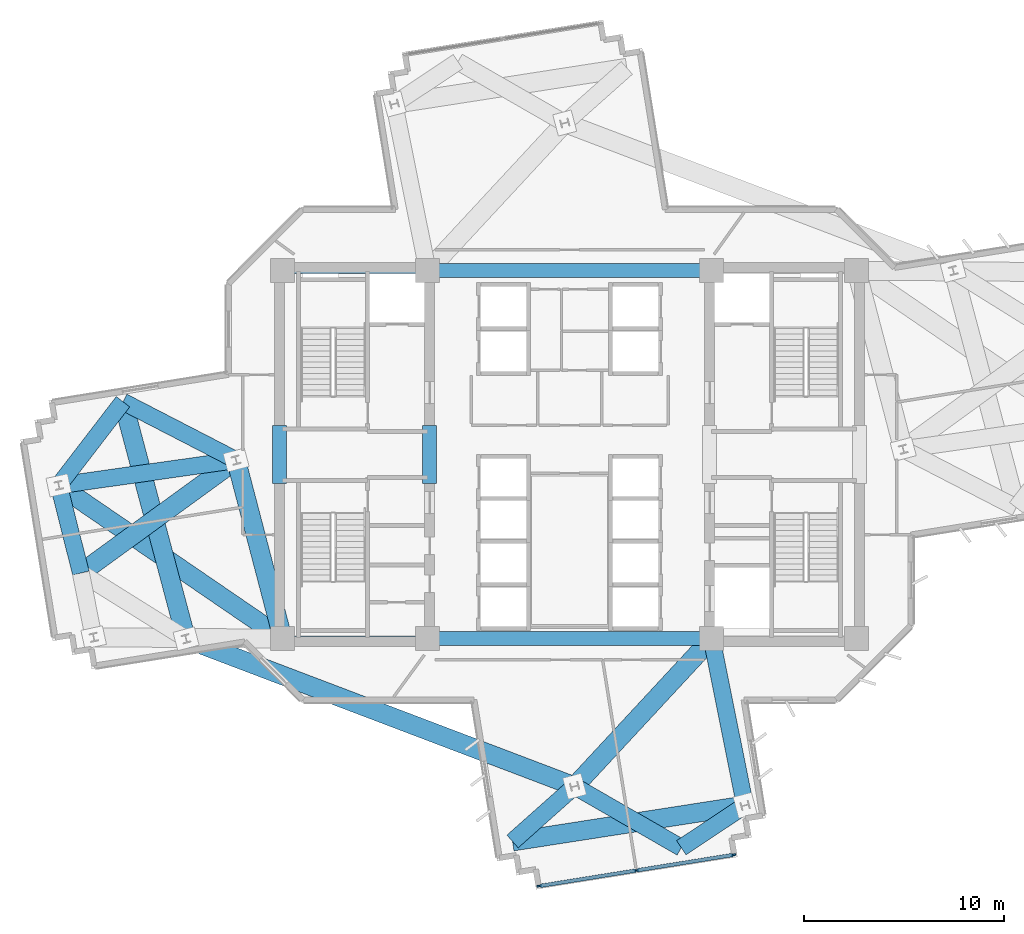
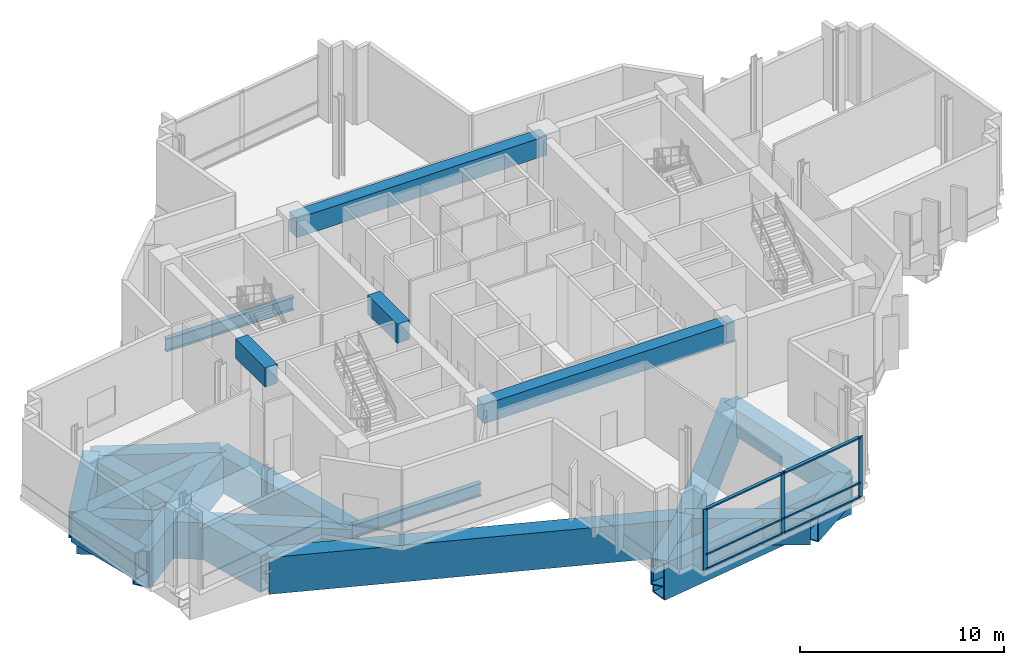
# One storey, part 2 of 12: 21 beams, 9 members, 1 element without a shape of its own.
"""IFC4 building model written with IfcOpenShell, lengths in metres."""

from ifc_helpers import new_model, si_unit, direction, frame, origin, origin_2d, place, context, subcontext, project, spatial, rectangle, hollow_rectangle, i_section, extrude, source, transform, mapped, material, layer, layer_set, material_profile, profile_set, type_object, element, aggregate, save


model = new_model("IFC4")

# Units and contexts
model_context = context("Model", 3, precision=1e-05, world=origin(), true_north=direction((0.0, 1.0)))
body_context = subcontext(model_context, "Body", "Model", "MODEL_VIEW")
ifc_project = project(units=[si_unit("LENGTHUNIT", "METRE"), si_unit("AREAUNIT", "SQUARE_METRE"), si_unit("VOLUMEUNIT", "CUBIC_METRE"), si_unit("PLANEANGLEUNIT", "RADIAN"), si_unit("MASSUNIT", "GRAM", prefix="KILO")], contexts=[model_context])

# Site, building, storey
site_placement = place(None, origin())
site = spatial("IfcSite", under=ifc_project, at=site_placement, CompositionType="ELEMENT")
building_placement = place(site_placement, origin())
building = spatial("IfcBuilding", under=site, at=building_placement, Name="Zahravan Cultural Tower", CompositionType="ELEMENT")
storey_placement = place(building_placement, frame((0.0, 0.0, 130.800048828125)))
storey = spatial("IfcBuildingStorey", under=building, at=storey_placement, Name="L29", CompositionType="ELEMENT", Elevation=130.800048828125)

# Beams
ifc_material_1 = material(Name="Concrete C50/60", Category="concrete")
ifc_material_profile_1 = material_profile(ifc_material_1, rectangle(XDim=0.699951171875, YDim=1.14990234375, at=origin_2d()), Name="RC700X1150")
ifc_profile_set_1 = profile_set([ifc_material_profile_1], Name="Concrete C50/60")
beam_type_1 = type_object("IfcBeamType", Name="BM-LN-RC700X1150", PredefinedType="LINTEL", material=ifc_profile_set_1)
shared_shape_1 = source(origin(), body_context, "Body", "SweptSolid", [
    extrude(rectangle(XDim=0.699951171875, YDim=1.14990234375, at=origin_2d()), origin(), (0.0, 0.0, 1.0), 14.2001953125),
])
for number, where, z_axis, x_axis, name in (
    (1, (28.89990234375, 17.800048828125, 3.945068359375), (1.0, 0.0, 0.0), (0.0, 1.0, 0.0), "L29 Beam LN-L29-S"),
    (2, (28.89990234375, 36.199951171875, 3.945068359375), (1.0, 0.0, 0.0), (0.0, 1.0, 0.0), "L29 Beam LN-L29-N"),
):
    element("IfcBeam", number, at=place(storey_placement, frame(where, z_axis=z_axis, x_axis=x_axis)), inside=storey, type_object=beam_type_1, Name=name, PredefinedType="LINTEL", context=body_context, shape_type="MappedRepresentation", body=[
        mapped(shared_shape_1, transform((0.0, 0.0, 0.0), x_axis=(1.0, 0.0, 0.0), y_axis=(0.0, 1.0, 0.0), z_axis=(0.0, 0.0, 1.0), scale=1.0)),
    ])
shared_shape_2 = source(origin(), body_context, "Body", "SweptSolid", [
    extrude(rectangle(XDim=0.699951171875, YDim=1.14990234375, at=origin_2d()), origin(), (0.0, 0.0, 1.0), 2.89990234375),
])
for number, where, z_axis, x_axis, name in (
    (3, (21.5, 25.550048828125, 3.945068359375), (0.0, 1.0, 0.0), (-1.0, 0.0, 0.0), "L29 Beam LN-L29-PWW"),
    (4, (29.0, 25.550048828125, 3.945068359375), (0.0, 1.0, 0.0), (-1.0, 0.0, 0.0), "L29 Beam LN-L29-PWE"),
):
    element("IfcBeam", number, at=place(storey_placement, frame(where, z_axis=z_axis, x_axis=x_axis)), inside=storey, type_object=beam_type_1, Name=name, PredefinedType="LINTEL", context=body_context, shape_type="MappedRepresentation", body=[
        mapped(shared_shape_2, transform((0.0, 0.0, 0.0), x_axis=(1.0, 0.0, 0.0), y_axis=(0.0, 1.0, 0.0), z_axis=(0.0, 0.0, 1.0), scale=1.0)),
    ])
ifc_material_2 = material(Name="Steel ASTM A992 Grade 50", Category="steel")
ifc_material_profile_2 = material_profile(ifc_material_2, i_section(OverallWidth=0.26611328125, OverallDepth=0.780029296875, WebThickness=0.0166015625, FlangeThickness=0.030029296875, FilletRadius=0.01904296875, at=origin_2d()), Name="W30X148")
ifc_profile_set_2 = profile_set([ifc_material_profile_2], Name="Steel ASTM A992 Grade 50")
beam_type_2 = type_object("IfcBeamType", Name="BM-G-W30X148", PredefinedType="BEAM", material=ifc_profile_set_2)
shared_shape_3 = source(origin(), body_context, "Body", "SweptSolid", [
    extrude(i_section(OverallWidth=0.26611328125, OverallDepth=0.780029296875, WebThickness=0.0166015625, FlangeThickness=0.030029296875, FilletRadius=0.01904296875, at=origin_2d()), origin(), (0.0, 0.0, 1.0), 7.25),
])
for number, where, z_axis, x_axis, name in (
    (5, (21.64990234375, 17.800048828125, -0.68994140625), (1.0, 0.0, 0.0), (0.0, 1.0, 0.0), "L29 Beam BG-L29-01"),
    (6, (21.64990234375, 36.199951171875, -0.68994140625), (1.0, 0.0, 0.0), (0.0, 1.0, 0.0), "L29 Beam BG-L29-02"),
):
    element("IfcBeam", number, at=place(storey_placement, frame(where, z_axis=z_axis, x_axis=x_axis)), inside=storey, type_object=beam_type_2, Name=name, PredefinedType="BEAM", context=body_context, shape_type="MappedRepresentation", body=[
        mapped(shared_shape_3, transform((0.0, 0.0, 0.0), x_axis=(1.0, 0.0, 0.0), y_axis=(0.0, 1.0, 0.0), z_axis=(0.0, 0.0, 1.0), scale=1.0)),
    ])
ifc_material_3 = material(Name="Steel ASTM A572 Grade 50", Category="steel")
ifc_material_profile_3 = material_profile(ifc_material_3, hollow_rectangle(XDim=0.949951171875, YDim=2.199951171875, WallThickness=0.070068359375, at=origin_2d()), Name="BOX2200X950X70")
ifc_profile_set_3 = profile_set([ifc_material_profile_3], Name="Steel ASTM A572 Grade 50")
beam_type_3 = type_object("IfcBeamType", Name="BM-TR-BOX2200", PredefinedType="BEAM", material=ifc_profile_set_3)
shared_shape_4 = source(origin(), body_context, "Body", "SweptSolid", [
    extrude(hollow_rectangle(XDim=0.949951171875, YDim=2.199951171875, WallThickness=0.070068359375, at=origin_2d()), origin(), (0.0, 0.0, 1.0), 9.22900390625),
])
beam_1_placement = place(storey_placement, frame((21.64990234375, 17.800048828125, -1.400146484375), z_axis=(-0.252922608408, 0.967486513682, 0.0), x_axis=(-0.967486513682, -0.252922608408, 0.0)))
element("IfcBeam", 7, at=beam_1_placement, inside=storey, type_object=beam_type_3, Name="L29 Beam TB-L29-07", PredefinedType="BEAM", context=body_context, shape_type="MappedRepresentation", body=[
    mapped(shared_shape_4, transform((0.0, 0.0, 0.0), x_axis=(1.0, 0.0, 0.0), y_axis=(0.0, 1.0, 0.0), z_axis=(0.0, 0.0, 1.0), scale=1.0)),
])
ifc_material_profile_4 = material_profile(ifc_material_3, hollow_rectangle(XDim=0.85009765625, YDim=1.60009765625, WallThickness=0.06005859375, at=origin_2d()), Name="BOX1600X850X60")
ifc_profile_set_4 = profile_set([ifc_material_profile_4], Name="Steel ASTM A572 Grade 50")
beam_type_4 = type_object("IfcBeamType", Name="BM-TR-BOX1600", PredefinedType="BEAM", material=ifc_profile_set_4)
shared_shape_5 = source(origin(), body_context, "Body", "SweptSolid", [
    extrude(hollow_rectangle(XDim=0.85009765625, YDim=1.60009765625, WallThickness=0.06005859375, at=origin_2d()), origin(), (0.0, 0.0, 1.0), 6.36376953125),
])
beam_2_placement = place(storey_placement, frame((19.315673828125, 26.72900390625, -1.10009765625), z_axis=(-0.888582826107, 0.458716209816, 0.0), x_axis=(-0.458716209816, -0.888582826107, 0.0)))
element("IfcBeam", 8, at=beam_2_placement, inside=storey, type_object=beam_type_4, Name="L29 Beam TB-L29-08", PredefinedType="BEAM", context=body_context, shape_type="MappedRepresentation", body=[
    mapped(shared_shape_5, transform((0.0, 0.0, 0.0), x_axis=(1.0, 0.0, 0.0), y_axis=(0.0, 1.0, 0.0), z_axis=(0.0, 0.0, 1.0), scale=1.0)),
])
shared_shape_6 = source(origin(), body_context, "Body", "SweptSolid", [
    extrude(hollow_rectangle(XDim=0.949951171875, YDim=2.199951171875, WallThickness=0.070068359375, at=origin_2d()), origin(), (0.0, 0.0, 1.0), 9.599853515625),
])
beam_3_placement = place(storey_placement, frame((19.315673828125, 26.72900390625, -1.400146484375), z_axis=(-0.808565591298, -0.588406054157, 0.0), x_axis=(0.588406054157, -0.808565591298, 0.0)))
element("IfcBeam", 9, at=beam_3_placement, inside=storey, type_object=beam_type_3, Name="L29 Beam TB-L29-09", PredefinedType="BEAM", context=body_context, shape_type="MappedRepresentation", body=[
    mapped(shared_shape_6, transform((0.0, 0.0, 0.0), x_axis=(1.0, 0.0, 0.0), y_axis=(0.0, 1.0, 0.0), z_axis=(0.0, 0.0, 1.0), scale=1.0)),
])
shared_shape_7 = source(origin(), body_context, "Body", "SweptSolid", [
    extrude(hollow_rectangle(XDim=0.949951171875, YDim=2.199951171875, WallThickness=0.070068359375, at=origin_2d()), origin(), (0.0, 0.0, 1.0), 13.573974609375),
])
beam_4_placement = place(storey_placement, frame((21.64990234375, 17.800048828125, -1.400146484375), z_axis=(-0.825296232067, 0.56470003483, 0.0), x_axis=(-0.56470003483, -0.825296232067, 0.0)))
element("IfcBeam", 10, at=beam_4_placement, inside=storey, type_object=beam_type_3, Name="L29 Beam TB-L29-10", PredefinedType="BEAM", context=body_context, shape_type="MappedRepresentation", body=[
    mapped(shared_shape_7, transform((0.0, 0.0, 0.0), x_axis=(1.0, 0.0, 0.0), y_axis=(0.0, 1.0, 0.0), z_axis=(0.0, 0.0, 1.0), scale=1.0)),
])
shared_shape_8 = source(origin(), body_context, "Body", "SweptSolid", [
    extrude(hollow_rectangle(XDim=0.85009765625, YDim=1.60009765625, WallThickness=0.06005859375, at=origin_2d()), origin(), (0.0, 0.0, 1.0), 4.5224609375),
])
beam_5_placement = place(storey_placement, frame((10.447265625, 25.46533203125, -1.10009765625), z_axis=(0.244605552125, -0.969622670872, 0.0), x_axis=(0.969622670872, 0.244605552125, 0.0)))
element("IfcBeam", 11, at=beam_5_placement, inside=storey, type_object=beam_type_4, Name="L29 Beam TB-L29-11", PredefinedType="BEAM", context=body_context, shape_type="MappedRepresentation", body=[
    mapped(shared_shape_8, transform((0.0, 0.0, 0.0), x_axis=(1.0, 0.0, 0.0), y_axis=(0.0, 1.0, 0.0), z_axis=(0.0, 0.0, 1.0), scale=1.0)),
])
shared_shape_9 = source(origin(), body_context, "Body", "SweptSolid", [
    extrude(hollow_rectangle(XDim=0.85009765625, YDim=1.60009765625, WallThickness=0.06005859375, at=origin_2d()), origin(), (0.0, 0.0, 1.0), 5.27490234375),
])
beam_6_placement = place(storey_placement, frame((10.447265625, 25.46533203125, -1.10009765625), z_axis=(0.609238691752, 0.792986895524, 0.0), x_axis=(-0.792986895524, 0.609238691752, 0.0)))
element("IfcBeam", 12, at=beam_6_placement, inside=storey, type_object=beam_type_4, Name="L29 Beam TB-L29-12", PredefinedType="BEAM", context=body_context, shape_type="MappedRepresentation", body=[
    mapped(shared_shape_9, transform((0.0, 0.0, 0.0), x_axis=(1.0, 0.0, 0.0), y_axis=(0.0, 1.0, 0.0), z_axis=(0.0, 0.0, 1.0), scale=1.0)),
])
shared_shape_10 = source(origin(), body_context, "Body", "SweptSolid", [
    extrude(hollow_rectangle(XDim=0.949951171875, YDim=2.199951171875, WallThickness=0.070068359375, at=origin_2d()), origin(), (0.0, 0.0, 1.0), 12.266845703125),
])
beam_7_placement = place(storey_placement, frame((16.815185546875, 17.7939453125, -1.400146484375), z_axis=(-0.257142336266, 0.966373540045, 0.0), x_axis=(-0.966373540045, -0.257142336266, 0.0)))
element("IfcBeam", 13, at=beam_7_placement, inside=storey, type_object=beam_type_3, Name="L29 Beam TB-L29-18", PredefinedType="BEAM", context=body_context, shape_type="MappedRepresentation", body=[
    mapped(shared_shape_10, transform((0.0, 0.0, 0.0), x_axis=(1.0, 0.0, 0.0), y_axis=(0.0, 1.0, 0.0), z_axis=(0.0, 0.0, 1.0), scale=1.0)),
])
shared_shape_11 = source(origin(), body_context, "Body", "SweptSolid", [
    extrude(hollow_rectangle(XDim=0.949951171875, YDim=2.199951171875, WallThickness=0.070068359375, at=origin_2d()), origin(), (0.0, 0.0, 1.0), 10.077880859375),
])
beam_8_placement = place(storey_placement, frame((43.10009765625, 17.800048828125, -1.400146484375), z_axis=(-0.680170435587, -0.733054007938, 0.0), x_axis=(0.733054007938, -0.680170435587, 0.0)))
element("IfcBeam", 14, at=beam_8_placement, inside=storey, type_object=beam_type_3, Name="L29 Beam TB-L29-19", PredefinedType="BEAM", context=body_context, shape_type="MappedRepresentation", body=[
    mapped(shared_shape_11, transform((0.0, 0.0, 0.0), x_axis=(1.0, 0.0, 0.0), y_axis=(0.0, 1.0, 0.0), z_axis=(0.0, 0.0, 1.0), scale=1.0)),
])
shared_shape_12 = source(origin(), body_context, "Body", "SweptSolid", [
    extrude(hollow_rectangle(XDim=0.85009765625, YDim=1.60009765625, WallThickness=0.06005859375, at=origin_2d()), origin(), (0.0, 0.0, 1.0), 4.15185546875),
])
beam_9_placement = place(storey_placement, frame((36.245361328125, 10.412353515625, -1.10009765625), z_axis=(-0.747318472277, -0.664466026967, 0.0), x_axis=(0.664466026967, -0.747318472277, 0.0)))
element("IfcBeam", 15, at=beam_9_placement, inside=storey, type_object=beam_type_4, Name="L29 Beam TB-L29-20", PredefinedType="BEAM", context=body_context, shape_type="MappedRepresentation", body=[
    mapped(shared_shape_12, transform((0.0, 0.0, 0.0), x_axis=(1.0, 0.0, 0.0), y_axis=(0.0, 1.0, 0.0), z_axis=(0.0, 0.0, 1.0), scale=1.0)),
])
shared_shape_13 = source(origin(), body_context, "Body", "SweptSolid", [
    extrude(hollow_rectangle(XDim=0.85009765625, YDim=1.60009765625, WallThickness=0.06005859375, at=origin_2d()), origin(), (0.0, 0.0, 1.0), 6.159423828125),
])
beam_10_placement = place(storey_placement, frame((36.245361328125, 10.412353515625, -1.10009765625), z_axis=(0.866886177, -0.498506124463, 0.0), x_axis=(0.498506124463, 0.866886177, 0.0)))
element("IfcBeam", 16, at=beam_10_placement, inside=storey, type_object=beam_type_4, Name="L29 Beam TB-L29-21", PredefinedType="BEAM", context=body_context, shape_type="MappedRepresentation", body=[
    mapped(shared_shape_13, transform((0.0, 0.0, 0.0), x_axis=(1.0, 0.0, 0.0), y_axis=(0.0, 1.0, 0.0), z_axis=(0.0, 0.0, 1.0), scale=1.0)),
])
shared_shape_14 = source(origin(), body_context, "Body", "SweptSolid", [
    extrude(hollow_rectangle(XDim=0.85009765625, YDim=1.60009765625, WallThickness=0.06005859375, at=origin_2d()), origin(), (0.0, 0.0, 1.0), 8.50732421875),
])
beam_11_placement = place(storey_placement, frame((43.10009765625, 17.800048828125, -1.10009765625), z_axis=(0.196524514012, -0.980498911469, 0.0), x_axis=(0.980498911469, 0.196524514012, 0.0)))
element("IfcBeam", 17, at=beam_11_placement, inside=storey, type_object=beam_type_4, Name="L29 Beam TB-L29-22", PredefinedType="BEAM", context=body_context, shape_type="MappedRepresentation", body=[
    mapped(shared_shape_14, transform((0.0, 0.0, 0.0), x_axis=(1.0, 0.0, 0.0), y_axis=(0.0, 1.0, 0.0), z_axis=(0.0, 0.0, 1.0), scale=1.0)),
])
shared_shape_15 = source(origin(), body_context, "Body", "SweptSolid", [
    extrude(hollow_rectangle(XDim=0.85009765625, YDim=1.60009765625, WallThickness=0.06005859375, at=origin_2d()), origin(), (0.0, 0.0, 1.0), 3.825927734375),
])
beam_12_placement = place(storey_placement, frame((44.77197265625, 9.458740234375, -1.10009765625), z_axis=(-0.832981732739, -0.553300490622, 0.0), x_axis=(0.553300490622, -0.832981732739, 0.0)))
element("IfcBeam", 18, at=beam_12_placement, inside=storey, type_object=beam_type_4, Name="L29 Beam TB-L29-23", PredefinedType="BEAM", context=body_context, shape_type="MappedRepresentation", body=[
    mapped(shared_shape_15, transform((0.0, 0.0, 0.0), x_axis=(1.0, 0.0, 0.0), y_axis=(0.0, 1.0, 0.0), z_axis=(0.0, 0.0, 1.0), scale=1.0)),
])
shared_shape_16 = source(origin(), body_context, "Body", "SweptSolid", [
    extrude(hollow_rectangle(XDim=0.949951171875, YDim=2.199951171875, WallThickness=0.070068359375, at=origin_2d()), origin(), (0.0, 0.0, 1.0), 11.7685546875),
])
beam_13_placement = place(storey_placement, frame((44.77197265625, 9.458740234375, -1.400146484375), z_axis=(-0.988165989448, -0.153388321912, 0.0), x_axis=(0.153388321912, -0.988165989448, 0.0)))
element("IfcBeam", 19, at=beam_13_placement, inside=storey, type_object=beam_type_3, Name="L29 Beam TB-L29-24", PredefinedType="BEAM", context=body_context, shape_type="MappedRepresentation", body=[
    mapped(shared_shape_16, transform((0.0, 0.0, 0.0), x_axis=(1.0, 0.0, 0.0), y_axis=(0.0, 1.0, 0.0), z_axis=(0.0, 0.0, 1.0), scale=1.0)),
])
shared_shape_17 = source(origin(), body_context, "Body", "SweptSolid", [
    extrude(hollow_rectangle(XDim=0.85009765625, YDim=1.60009765625, WallThickness=0.06005859375, at=origin_2d()), origin(), (0.0, 0.0, 1.0), 8.9580078125),
])
beam_14_placement = place(storey_placement, frame((19.315673828125, 26.72900390625, -1.10009765625), z_axis=(-0.990000122431, -0.141066500584, 0.0), x_axis=(0.141066500584, -0.990000122431, 0.0)))
element("IfcBeam", 20, at=beam_14_placement, inside=storey, type_object=beam_type_4, Name="L29 Beam TB-L29-43", PredefinedType="BEAM", context=body_context, shape_type="MappedRepresentation", body=[
    mapped(shared_shape_17, transform((0.0, 0.0, 0.0), x_axis=(1.0, 0.0, 0.0), y_axis=(0.0, 1.0, 0.0), z_axis=(0.0, 0.0, 1.0), scale=1.0)),
])
shared_shape_18 = source(origin(), body_context, "Body", "SweptSolid", [
    extrude(hollow_rectangle(XDim=0.949951171875, YDim=2.199951171875, WallThickness=0.070068359375, at=origin_2d()), origin(), (0.0, 0.0, 1.0), 20.78515625),
])
beam_15_placement = place(storey_placement, frame((16.815185546875, 17.7939453125, -1.400146484375), z_axis=(0.934813531296, -0.355138932962, 0.0), x_axis=(0.355138932962, 0.934813531296, 0.0)))
element("IfcBeam", 21, at=beam_15_placement, inside=storey, type_object=beam_type_3, Name="L29 Beam TB-L29-46", PredefinedType="BEAM", context=body_context, shape_type="MappedRepresentation", body=[
    mapped(shared_shape_18, transform((0.0, 0.0, 0.0), x_axis=(1.0, 0.0, 0.0), y_axis=(0.0, 1.0, 0.0), z_axis=(0.0, 0.0, 1.0), scale=1.0)),
])

# Curtain wall, members
ifc_material_4 = material(Name="Anodised bronze-aluminium mullion", Category="aluminium")
ifc_layer = layer(ifc_material_4, 0.239990234375)
ifc_layer_set = layer_set([ifc_layer], Name="Anodised bronze-aluminium mullion")
curtain_wall_type = type_object("IfcCurtainWallType", Name="CW-SYS-5", PredefinedType="USERDEFINED", material=ifc_layer_set)
curtain_wall_placement = place(storey_placement, origin())
curtain_wall = element("IfcCurtainWall", 22, at=curtain_wall_placement, inside=storey, type_object=curtain_wall_type, Name="L29 Recessed Curtain Wall CW-5.1", ObjectType="RECESSED GLAZING", PredefinedType="USERDEFINED")
ifc_material_profile_5 = material_profile(ifc_material_4, rectangle(XDim=0.0849609375, YDim=0.239990234375, at=origin_2d()), Name="AL-M85X240")
ifc_profile_set_5 = profile_set([ifc_material_profile_5], Name="Anodised bronze-aluminium mullion")
member_type_1 = type_object("IfcMemberType", Name="CWM-CW-5", PredefinedType="MULLION", material=ifc_profile_set_5)
shared_shape_19 = source(origin(), body_context, "Body", "SweptSolid", [
    extrude(rectangle(XDim=0.0849609375, YDim=0.239990234375, at=origin_2d()), origin(), (0.0, 0.0, 1.0), 3.639892578125),
])
member_1_placement = place(storey_placement, frame((44.193359375, 6.985595703125, 0.0), z_axis=(0.0, 0.0, 1.0), x_axis=(0.158506300899, -0.987357965773, 0.0)))
member_1 = element("IfcMember", 23, at=member_1_placement, type_object=member_type_1, Name="CW-5 mullion 1", PredefinedType="MULLION", context=body_context, shape_type="MappedRepresentation", body=[
    mapped(shared_shape_19, transform((0.0, 0.0, 0.0), x_axis=(1.0, 0.0, 0.0), y_axis=(0.0, 1.0, 0.0), z_axis=(0.0, 0.0, 1.0), scale=1.0)),
])
member_2_placement = place(storey_placement, frame((39.338134765625, 6.206298828125, 0.0), z_axis=(0.0, 0.0, 1.0), x_axis=(0.158506300899, -0.987357965773, 0.0)))
member_2 = element("IfcMember", 24, at=member_2_placement, type_object=member_type_1, Name="CW-5 mullion 2", PredefinedType="MULLION", context=body_context, shape_type="MappedRepresentation", body=[
    mapped(shared_shape_19, transform((0.0, 0.0, 0.0), x_axis=(1.0, 0.0, 0.0), y_axis=(0.0, 1.0, 0.0), z_axis=(0.0, 0.0, 1.0), scale=1.0)),
])
member_3_placement = place(storey_placement, frame((34.482666015625, 5.4267578125, 0.0), z_axis=(0.0, 0.0, 1.0), x_axis=(0.158506300899, -0.987357965773, 0.0)))
member_3 = element("IfcMember", 25, at=member_3_placement, type_object=member_type_1, Name="CW-5 mullion 3", PredefinedType="MULLION", context=body_context, shape_type="MappedRepresentation", body=[
    mapped(shared_shape_19, transform((0.0, 0.0, 0.0), x_axis=(1.0, 0.0, 0.0), y_axis=(0.0, 1.0, 0.0), z_axis=(0.0, 0.0, 1.0), scale=1.0)),
])
ifc_material_profile_6 = material_profile(ifc_material_4, rectangle(XDim=0.179931640625, YDim=0.0849609375, at=origin_2d()), Name="AL-T85X180")
ifc_profile_set_6 = profile_set([ifc_material_profile_6], Name="Anodised bronze-aluminium mullion")
member_type_2 = type_object("IfcMemberType", Name="CWT-CW-5", PredefinedType="USERDEFINED", material=ifc_profile_set_6)
shared_shape_20 = source(origin(), body_context, "Body", "SweptSolid", [
    extrude(rectangle(XDim=0.179931640625, YDim=0.0849609375, at=origin_2d()), origin(), (0.0, 0.0, 1.0), 4.832275390625),
])
member_4_placement = place(storey_placement, frame((44.1513671875, 6.97900390625, 0.04248046875), z_axis=(-0.987352834823, -0.158538259002, 0.0), x_axis=(0.158538259002, -0.987352834823, 0.0)))
member_4 = element("IfcMember", 26, at=member_4_placement, type_object=member_type_2, Name="CW-5 transom 1.1", ObjectType="TRANSOM", PredefinedType="USERDEFINED", context=body_context, shape_type="MappedRepresentation", body=[
    mapped(shared_shape_20, transform((0.0, 0.0, 0.0), x_axis=(1.0, 0.0, 0.0), y_axis=(0.0, 1.0, 0.0), z_axis=(0.0, 0.0, 1.0), scale=1.0)),
])
member_5_placement = place(storey_placement, frame((44.1513671875, 6.97900390625, 0.89990234375), z_axis=(-0.987352834823, -0.158538259002, 0.0), x_axis=(0.158538259002, -0.987352834823, 0.0)))
member_5 = element("IfcMember", 27, at=member_5_placement, type_object=member_type_2, Name="CW-5 transom 1.2", ObjectType="TRANSOM", PredefinedType="USERDEFINED", context=body_context, shape_type="MappedRepresentation", body=[
    mapped(shared_shape_20, transform((0.0, 0.0, 0.0), x_axis=(1.0, 0.0, 0.0), y_axis=(0.0, 1.0, 0.0), z_axis=(0.0, 0.0, 1.0), scale=1.0)),
])
member_6_placement = place(storey_placement, frame((44.1513671875, 6.97900390625, 3.597412109375), z_axis=(-0.987352834823, -0.158538259002, 0.0), x_axis=(0.158538259002, -0.987352834823, 0.0)))
member_6 = element("IfcMember", 28, at=member_6_placement, type_object=member_type_2, Name="CW-5 transom 1.3", ObjectType="TRANSOM", PredefinedType="USERDEFINED", context=body_context, shape_type="MappedRepresentation", body=[
    mapped(shared_shape_20, transform((0.0, 0.0, 0.0), x_axis=(1.0, 0.0, 0.0), y_axis=(0.0, 1.0, 0.0), z_axis=(0.0, 0.0, 1.0), scale=1.0)),
])
shared_shape_21 = source(origin(), body_context, "Body", "SweptSolid", [
    extrude(rectangle(XDim=0.179931640625, YDim=0.0849609375, at=origin_2d()), origin(), (0.0, 0.0, 1.0), 4.83251953125),
])
member_7_placement = place(storey_placement, frame((39.296142578125, 6.199462890625, 0.04248046875), z_axis=(-0.987362011006, -0.158481100518, 0.0), x_axis=(0.158481100518, -0.987362011006, 0.0)))
member_7 = element("IfcMember", 29, at=member_7_placement, type_object=member_type_2, Name="CW-5 transom 2.1", ObjectType="TRANSOM", PredefinedType="USERDEFINED", context=body_context, shape_type="MappedRepresentation", body=[
    mapped(shared_shape_21, transform((0.0, 0.0, 0.0), x_axis=(1.0, 0.0, 0.0), y_axis=(0.0, 1.0, 0.0), z_axis=(0.0, 0.0, 1.0), scale=1.0)),
])
member_8_placement = place(storey_placement, frame((39.296142578125, 6.199462890625, 0.89990234375), z_axis=(-0.987362011006, -0.158481100518, 0.0), x_axis=(0.158481100518, -0.987362011006, 0.0)))
member_8 = element("IfcMember", 30, at=member_8_placement, type_object=member_type_2, Name="CW-5 transom 2.2", ObjectType="TRANSOM", PredefinedType="USERDEFINED", context=body_context, shape_type="MappedRepresentation", body=[
    mapped(shared_shape_21, transform((0.0, 0.0, 0.0), x_axis=(1.0, 0.0, 0.0), y_axis=(0.0, 1.0, 0.0), z_axis=(0.0, 0.0, 1.0), scale=1.0)),
])
member_9_placement = place(storey_placement, frame((39.296142578125, 6.199462890625, 3.597412109375), z_axis=(-0.987362011006, -0.158481100518, 0.0), x_axis=(0.158481100518, -0.987362011006, 0.0)))
member_9 = element("IfcMember", 31, at=member_9_placement, type_object=member_type_2, Name="CW-5 transom 2.3", ObjectType="TRANSOM", PredefinedType="USERDEFINED", context=body_context, shape_type="MappedRepresentation", body=[
    mapped(shared_shape_21, transform((0.0, 0.0, 0.0), x_axis=(1.0, 0.0, 0.0), y_axis=(0.0, 1.0, 0.0), z_axis=(0.0, 0.0, 1.0), scale=1.0)),
])
aggregate(curtain_wall, [member_1, member_2, member_3, member_4, member_5, member_6, member_7, member_8, member_9])

save(model, "model.ifc")
